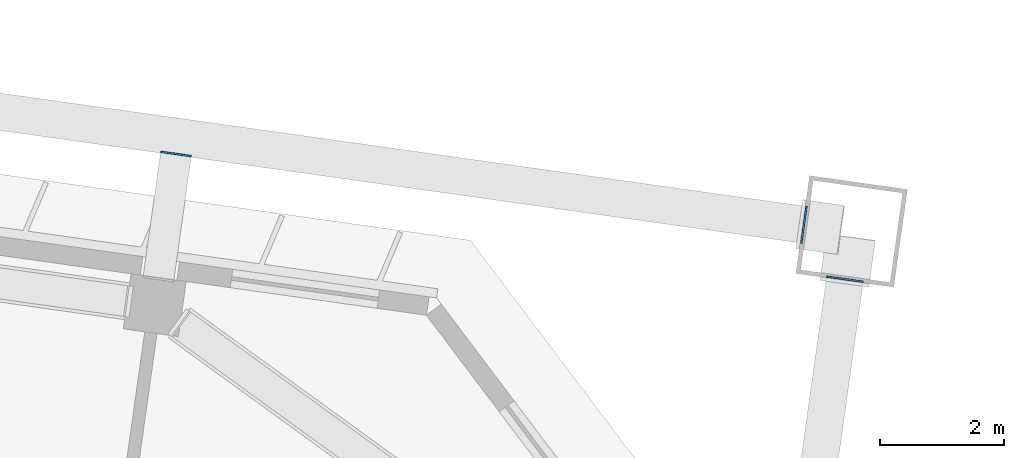
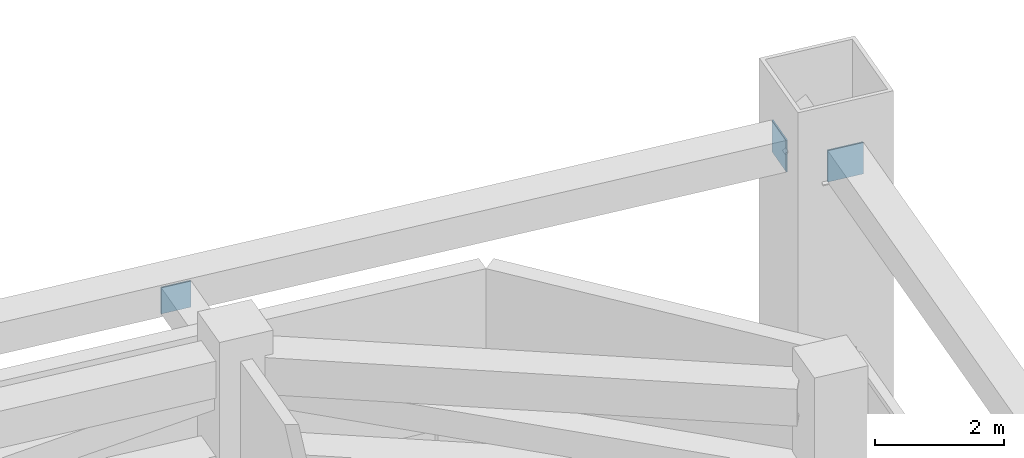
# One storey, part 34 of 41: 3 discrete accessories.
"""IFC4 building model written with IfcOpenShell, lengths in metres."""

from ifc_helpers import new_model, si_unit, direction, frame, origin, origin_2d, place, context, subcontext, project, spatial, rectangle, extrude, material, material_profile, profile_set, type_object, element, save


model = new_model("IFC4")

# Units and contexts
model_context = context("Model", 3, precision=1e-05, world=origin(), true_north=direction((0.0, 1.0)))
body_context = subcontext(model_context, "Body", "Model", "MODEL_VIEW")
ifc_project = project(units=[si_unit("LENGTHUNIT", "METRE"), si_unit("AREAUNIT", "SQUARE_METRE"), si_unit("VOLUMEUNIT", "CUBIC_METRE"), si_unit("PLANEANGLEUNIT", "RADIAN"), si_unit("MASSUNIT", "GRAM", prefix="KILO")], contexts=[model_context])

# Site, building, storey
site_placement = place(None, origin())
site = spatial("IfcSite", under=ifc_project, at=site_placement, CompositionType="ELEMENT")
building_placement = place(site_placement, origin())
building = spatial("IfcBuilding", under=site, at=building_placement, Name="Mirante Cascada Hotel Towers", CompositionType="ELEMENT")
storey_placement = place(building_placement, frame((0.0, 0.0, 92.7)))
storey = spatial("IfcBuildingStorey", under=building, at=storey_placement, Name="L20", CompositionType="ELEMENT", Elevation=92.7)

# Discrete accessories
ifc_material_1 = material(Name="Steel ASTM A572 Gr 50", Category="steel")
ifc_material_profile_1 = material_profile(ifc_material_1, rectangle(XDim=0.5, YDim=0.5, at=origin_2d()), Name="Connection plate 500x500x25 ASTM A572 Gr 50")
ifc_profile_set_1 = profile_set([ifc_material_profile_1], Name="Steel ASTM A572 Gr 50")
discrete_accessory_type_1 = type_object("IfcDiscreteAccessoryType", Name="Connection plate 500x500x25 ASTM A572 Gr 50", PredefinedType="BRACKET", material=ifc_profile_set_1)
discrete_accessory_1_placement = place(storey_placement, frame((-36.0305, 19.7585, 4.85), z_axis=(0.1397442, 0.9901876, 0.0), x_axis=(-0.9901876, 0.1397442, 0.0)))
element("IfcDiscreteAccessory", 1, at=discrete_accessory_1_placement, inside=storey, type_object=discrete_accessory_type_1, Name="Connection plate TIE", PredefinedType="BRACKET", context=body_context, shape_type="SweptSolid", body=[
    extrude(rectangle(XDim=0.5, YDim=0.5, at=origin_2d()), origin(), (0.0, 0.0, 1.0), 0.025),
])
ifc_material_2 = material(Name="Steel ASTM A572 Gr 50", Category="steel")
ifc_material_profile_2 = material_profile(ifc_material_2, rectangle(XDim=0.6, YDim=0.6, at=origin_2d()), Name="Connection plate 600x600x25 ASTM A572 Gr 50")
ifc_profile_set_2 = profile_set([ifc_material_profile_2], Name="Steel ASTM A572 Gr 50")
discrete_accessory_type_2 = type_object("IfcDiscreteAccessoryType", Name="Connection plate 600x600x25 ASTM A572 Gr 50", PredefinedType="BRACKET", material=ifc_profile_set_2)
discrete_accessory_2_placement = place(storey_placement, frame((-25.8569, 18.6241, 4.85), z_axis=(-0.9901092, 0.1402989, 0.0), x_axis=(-0.1402989, -0.9901092, 0.0)))
element("IfcDiscreteAccessory", 2, at=discrete_accessory_2_placement, inside=storey, type_object=discrete_accessory_type_2, Name="Connection plate NCH", PredefinedType="BRACKET", context=body_context, shape_type="SweptSolid", body=[
    extrude(rectangle(XDim=0.6, YDim=0.6, at=origin_2d()), origin(), (0.0, 0.0, 1.0), 0.0249),
])
discrete_accessory_3_placement = place(storey_placement, frame((-25.2071, 17.7325, 4.85), z_axis=(0.1397442, 0.9901876, 0.0), x_axis=(-0.9901876, 0.1397442, 0.0)))
element("IfcDiscreteAccessory", 3, at=discrete_accessory_3_placement, inside=storey, type_object=discrete_accessory_type_2, Name="Connection plate NCH", PredefinedType="BRACKET", context=body_context, shape_type="SweptSolid", body=[
    extrude(rectangle(XDim=0.6, YDim=0.6, at=origin_2d()), origin(), (0.0, 0.0, 1.0), 0.025),
])

save(model, "model.ifc")
